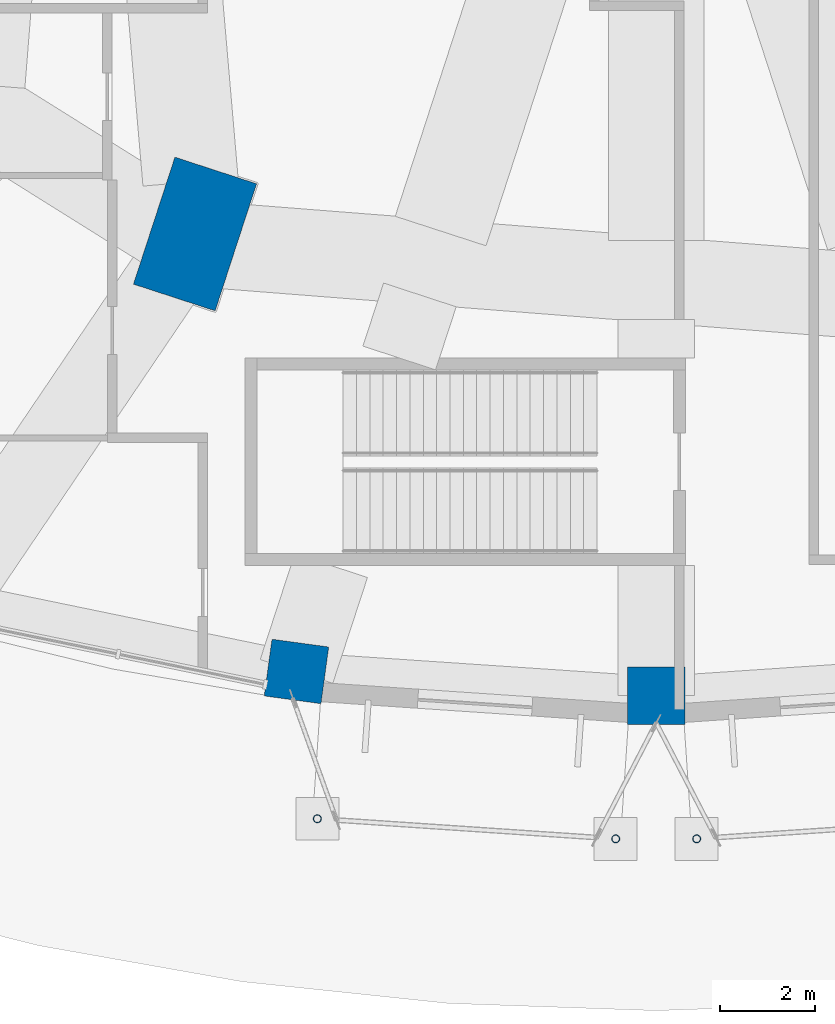
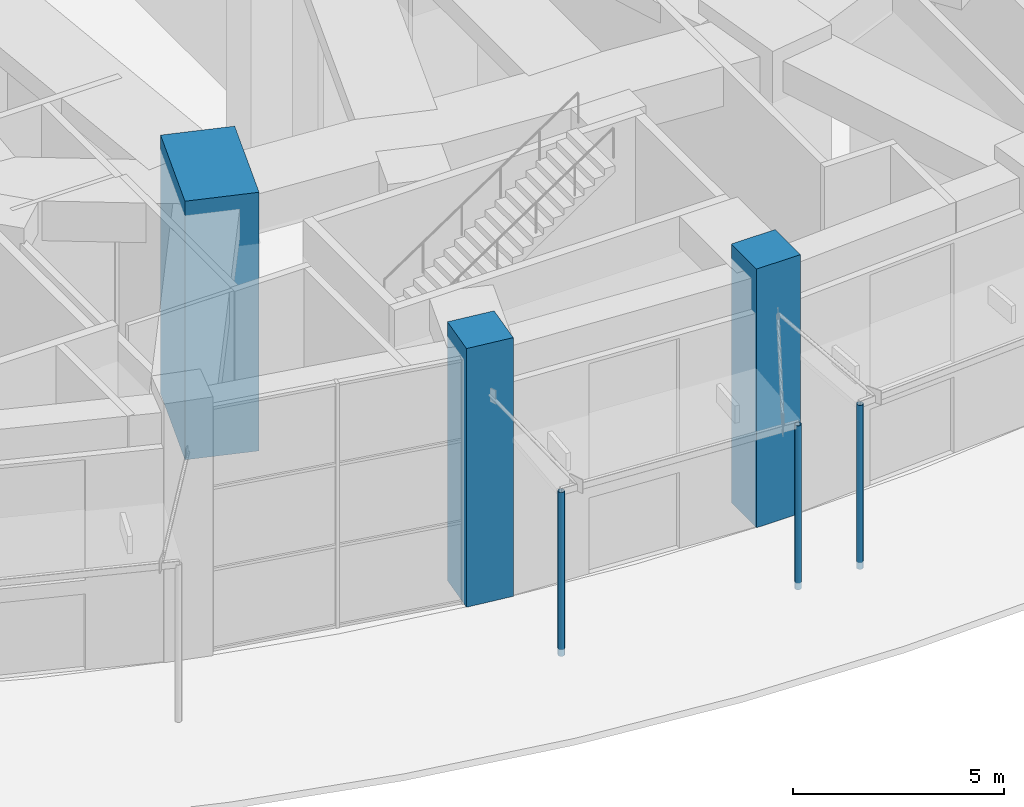
# One storey, part 6 of 60: 6 columns.
"""IFC4 building model written with IfcOpenShell, lengths in metres."""

import ifcopenshell
import ifcopenshell.guid

model = None  # the IFC model being written
_history = None  # IfcOwnerHistory: only IFC2X3 demands one
_inside = {}  # id of a spatial element -> (the spatial element, [elements in it])
_under = {}  # id of a project, library or spatial element -> (it, [spatial elements below it])
_declared = {}  # id of a project -> (the project, [libraries it declares])
_typed = {}  # id of a type object -> (the type object, [elements of that type])
_made_of = {}  # id of a material, layer set ... -> (it, [elements and type objects made of it])


def new_model(schema):
    """Start an empty IFC model of exactly this schema.

    Asked for "IFC4X3", IfcOpenShell would pick the latest addendum, in which some entities
    have other attributes; the version numbers below select the first issue.
    IFC2X3 requires an IfcOwnerHistory on every rooted entity: one is made here for all.
    """
    global model, _history
    if schema == "IFC4X3":
        model = ifcopenshell.file(schema_version=(4, 3, 0, 0))
    else:
        model = ifcopenshell.file(schema=schema)
    _inside.clear()
    _under.clear()
    _declared.clear()
    _typed.clear()
    _made_of.clear()
    _history = None
    if model.schema == "IFC2X3":
        org = make("IfcOrganization", Name="unknown")
        user = make(
            "IfcPersonAndOrganization",
            ThePerson=make("IfcPerson", FamilyName="unknown"),
            TheOrganization=org,
        )
        app = make(
            "IfcApplication",
            ApplicationDeveloper=org,
            Version="unknown",
            ApplicationFullName="unknown",
            ApplicationIdentifier="unknown",
        )
        _history = make(
            "IfcOwnerHistory",
            OwningUser=user,
            OwningApplication=app,
            ChangeAction="ADDED",
            CreationDate=0,
        )
    return model


def make(cls, **values):
    """One entity of the class cls with the attributes given. An attribute that is None is left unset."""
    return model.create_entity(
        cls, **{name: value for name, value in values.items() if value is not None}
    )


def rooted(cls, **values):
    """An entity with a GlobalId (a new one), such as an element, a storey or a relation."""
    return make(cls, GlobalId=ifcopenshell.guid.new(), OwnerHistory=_history, **values)


def si_unit(unit_type, name, prefix=None):
    """IfcSIUnit, for example si_unit("LENGTHUNIT", "METRE", prefix="MILLI")."""
    return make("IfcSIUnit", UnitType=unit_type, Prefix=prefix, Name=name)


def assignment(units):
    """IfcUnitAssignment: the units of a project."""
    return None if units is None else make("IfcUnitAssignment", Units=units)


def point(xyz):
    """IfcCartesianPoint."""
    return None if xyz is None else make("IfcCartesianPoint", Coordinates=xyz)


def direction(xyz):
    """IfcDirection."""
    return None if xyz is None else make("IfcDirection", DirectionRatios=xyz)


def frame(location, z_axis=None, x_axis=None):
    """IfcAxis2Placement3D, a coordinate frame: its origin and axes. An axis left out is left unset."""
    return make(
        "IfcAxis2Placement3D",
        Location=point(location),
        Axis=direction(z_axis),
        RefDirection=direction(x_axis),
    )


def frame_2d(location, x_axis=None):
    """IfcAxis2Placement2D, a coordinate frame in the plane: its origin and x axis."""
    return make(
        "IfcAxis2Placement2D", Location=point(location), RefDirection=direction(x_axis)
    )


def origin():
    """The frame at (0, 0, 0) with its axes left unset."""
    return frame((0.0, 0.0, 0.0))


def origin_2d():
    """The frame at (0, 0) in the plane with its x axis left unset."""
    return frame_2d((0.0, 0.0))


def place(relative_to, where):
    """IfcLocalPlacement: puts the frame where relative to a parent placement (None: the world)."""
    return make(
        "IfcLocalPlacement", PlacementRelTo=relative_to, RelativePlacement=where
    )


def context(
    kind, dimensions, precision=None, world=None, true_north=None, identifier=None
):
    """IfcGeometricRepresentationContext, for example the 3D "Model" context."""
    return make(
        "IfcGeometricRepresentationContext",
        ContextIdentifier=identifier,
        ContextType=kind,
        CoordinateSpaceDimension=dimensions,
        Precision=precision,
        WorldCoordinateSystem=world,
        TrueNorth=true_north,
    )


def subcontext(parent, identifier, kind, view, scale=None):
    """IfcGeometricRepresentationSubContext, for example "Body" below "Model"."""
    return make(
        "IfcGeometricRepresentationSubContext",
        ContextIdentifier=identifier,
        ContextType=kind,
        ParentContext=parent,
        TargetScale=scale,
        TargetView=view,
    )


def project(units=None, contexts=None):
    """IfcProject with its units and contexts."""
    return rooted(
        "IfcProject",
        Name="project",
        RepresentationContexts=contexts,
        UnitsInContext=assignment(units),
    )


def spatial(cls, under=None, at=None, **own):
    """A site, building, storey or space (cls), placed at a placement, below another one or the project."""
    s = rooted(cls, ObjectPlacement=at, **own)
    if under is not None:
        _under.setdefault(under.id(), (under, []))[1].append(s)
    return s


def profile(cls, at=None, kind="AREA", **sizes):
    """A parametric profile (cls). Its sizes go by their IFC names, for example OverallWidth=200.0."""
    return make(cls, ProfileType=kind, Position=at, **sizes)


def rectangle(**sizes):
    """IfcRectangleProfileDef."""
    return profile("IfcRectangleProfileDef", **sizes)


def hollow_circle(**sizes):
    """IfcCircleHollowProfileDef."""
    return profile("IfcCircleHollowProfileDef", **sizes)


def extrude(swept, where, along, depth):
    """IfcExtrudedAreaSolid: the profile swept, set in the frame where, extruded along a direction by depth."""
    return make(
        "IfcExtrudedAreaSolid",
        SweptArea=swept,
        Position=where,
        ExtrudedDirection=direction(along),
        Depth=depth,
    )


def shape(context_of_items, identifier, shape_type, items):
    """IfcShapeRepresentation: the items that make up one representation, for example the "Body"."""
    return make(
        "IfcShapeRepresentation",
        ContextOfItems=context_of_items,
        RepresentationIdentifier=identifier,
        RepresentationType=shape_type,
        Items=items,
    )


def material(Name=None, Category=None):
    """IfcMaterial."""
    return make("IfcMaterial", Name=Name, Category=Category)


def material_profile(
    of_material, cross_section, Name=None, Category=None, Priority=None
):
    """IfcMaterialProfile: a cross section and its material."""
    return make(
        "IfcMaterialProfile",
        Name=Name,
        Material=of_material,
        Profile=cross_section,
        Priority=Priority,
        Category=Category,
    )


def profile_set(profiles, Name=None, composite=None):
    """IfcMaterialProfileSet."""
    return make(
        "IfcMaterialProfileSet",
        Name=Name,
        MaterialProfiles=profiles,
        CompositeProfile=composite,
    )


def made_of(thing, what):
    """Note that an element or type object is made of a material, layer set ...; save() writes the relation."""
    if what is not None:
        _made_of.setdefault(what.id(), (what, []))[1].append(thing)
    return thing


def type_object(cls, material=None, **own):
    """A type object (cls), such as IfcWallType, which elements share."""
    return made_of(rooted(cls, **own), material)


def element(
    cls,
    number,
    at=None,
    inside=None,
    cuts=None,
    type_object=None,
    material=None,
    context=None,
    identifier="Body",
    shape_type=None,
    held_by="IfcProductDefinitionShape",
    body=None,
    shapes=None,
    **own,
):
    """One element of the class cls, such as IfcWall. Its Tag is "e" and its number.

    at: its placement. inside: the storey or other place that contains it. cuts: it is an
    opening in that element (IfcRelVoidsElement). A single representation is given by context,
    identifier, shape_type and body (its items); several are given by shapes. held_by: the class
    of the entity that holds the representations. save() writes the other relations.
    """
    e = rooted(cls, Tag="e%d" % number, ObjectPlacement=at, **own)
    if body is not None:
        shapes = [shape(context, identifier, shape_type, body)]
    if shapes is not None:
        e.Representation = make(held_by, Representations=shapes)
    if inside is not None:
        _inside.setdefault(inside.id(), (inside, []))[1].append(e)
    if cuts is not None:
        rooted(
            "IfcRelVoidsElement", RelatingBuildingElement=cuts, RelatedOpeningElement=e
        )
    if type_object is not None:
        _typed.setdefault(type_object.id(), (type_object, []))[1].append(e)
    return made_of(e, material)


def aggregate(whole, parts):
    """IfcRelAggregates: a whole, such as a stair, and the parts it consists of."""
    return rooted("IfcRelAggregates", RelatingObject=whole, RelatedObjects=parts)


def save(model, path):
    """Write the relations noted so far, then the file.

    IfcRelAggregates (storeys below a building ...), IfcRelContainedInSpatialStructure (elements
    in a storey), IfcRelDefinesByType, IfcRelAssociatesMaterial and IfcRelDeclares: one each for
    every whole, place, type object, material and project.
    """
    for whole, parts in _under.values():
        aggregate(whole, parts)
    for where, things in _inside.values():
        rooted(
            "IfcRelContainedInSpatialStructure",
            RelatedElements=things,
            RelatingStructure=where,
        )
    for kind, things in _typed.values():
        rooted("IfcRelDefinesByType", RelatedObjects=things, RelatingType=kind)
    for what, things in _made_of.values():
        rooted("IfcRelAssociatesMaterial", RelatedObjects=things, RelatingMaterial=what)
    for by, libraries in _declared.values():
        rooted("IfcRelDeclares", RelatingContext=by, RelatedDefinitions=libraries)
    model.write(path)


model = new_model("IFC4")

# Units and contexts
model_context = context("Model", 3, precision=1e-05, world=origin(), true_north=direction((0.0, 1.0)))
body_context = subcontext(model_context, "Body", "Model", "MODEL_VIEW")
ifc_project = project(units=[si_unit("LENGTHUNIT", "METRE"), si_unit("AREAUNIT", "SQUARE_METRE"), si_unit("VOLUMEUNIT", "CUBIC_METRE"), si_unit("PLANEANGLEUNIT", "RADIAN"), si_unit("MASSUNIT", "GRAM", prefix="KILO")], contexts=[model_context])

# Site, building, storey
site_placement = place(None, origin())
site = spatial("IfcSite", under=ifc_project, at=site_placement, CompositionType="ELEMENT")
building_placement = place(site_placement, origin())
building = spatial("IfcBuilding", under=site, at=building_placement, Name="Taillehof Tower", CompositionType="ELEMENT")
storey_placement = place(building_placement, origin())
storey = spatial("IfcBuildingStorey", under=building, at=storey_placement, Name="L00", CompositionType="ELEMENT", Elevation=0.0)

# Columns
ifc_material_1 = material(Name="Steel S460M", Category="steel")
ifc_material_profile_1 = material_profile(ifc_material_1, hollow_circle(Radius=0.084228515625, WallThickness=0.008056640625, at=origin_2d()), Name="CHS 168.3x8")
ifc_profile_set_1 = profile_set([ifc_material_profile_1], Name="Steel S460M")
column_type_1 = type_object("IfcColumnType", Name="Canopy post CHS 168.3x8", PredefinedType="COLUMN", material=ifc_profile_set_1)
for number, where, z_axis, x_axis, name in (
    (1, (-7.098388671875, -35.978515625, -0.199951171875), (0.0, 0.0, 1.0), (1.0, 0.0, 0.0), "Canopy post E5"),
    (2, (-0.847900390625, -36.3994140625, -0.199951171875), (0.0, 0.0, 1.0), (1.0, 0.0, 0.0), "Canopy post E5"),
    (3, (0.847900390625, -36.3994140625, -0.199951171875), (0.0, 0.0, 1.0), (1.0, 0.0, 0.0), "Canopy post E6"),
):
    element("IfcColumn", number, at=place(storey_placement, frame(where, z_axis=z_axis, x_axis=x_axis)), inside=storey, type_object=column_type_1, Name=name, PredefinedType="COLUMN", context=body_context, shape_type="SweptSolid", body=[
        extrude(hollow_circle(Radius=0.084228515625, WallThickness=0.008056640625, at=origin_2d()), origin(), (0.0, 0.0, 1.0), 4.7548828125),
    ])
ifc_material_2 = material(Name="Concrete C80/95", Category="concrete")
ifc_material_profile_2 = material_profile(ifc_material_2, rectangle(XDim=2.800048828125, YDim=1.800048828125, at=origin_2d()), Name="RC 2800x1800")
ifc_profile_set_2 = profile_set([ifc_material_profile_2], Name="Concrete C80/95")
column_type_2 = type_object("IfcColumnType", Name="Mega column C80/95 2800x1800", PredefinedType="COLUMN", material=ifc_profile_set_2)
column_placement = place(storey_placement, frame((-9.662109375, -23.727294921875, 0.0), z_axis=(0.0, 0.0, 1.0), x_axis=(-0.310219183529, -0.950665060981, 0.0)))
element("IfcColumn", 4, at=column_placement, inside=storey, type_object=column_type_2, Name="Mega column MG09", PredefinedType="COLUMN", context=body_context, shape_type="SweptSolid", body=[
    extrude(rectangle(XDim=2.800048828125, YDim=1.800048828125, at=origin_2d()), origin(), (0.0, 0.0, 1.0), 7.5),
])
ifc_material_3 = material(Name="Concrete C60/75", Category="concrete")
ifc_material_profile_3 = material_profile(ifc_material_3, rectangle(XDim=1.199951171875, YDim=1.199951171875, at=origin_2d()), Name="RC 1200x1200")
ifc_profile_set_3 = profile_set([ifc_material_profile_3], Name="Concrete C60/75")
column_type_3 = type_object("IfcColumnType", Name="Podium column C60/75 1200x1200", PredefinedType="COLUMN", material=ifc_profile_set_3)
for number, where, z_axis, x_axis, name in (
    (5, (-7.536376953125, -32.892578125, 0.0), (0.0, 0.0, 1.0), (-0.13500518998, -0.990844891332, 0.0), "Podium column PC27"),
    (6, (0.0, -33.39990234375, 0.0), (0.0, 0.0, 1.0), (0.0, -1.0, 0.0), "Podium column PC28"),
):
    element("IfcColumn", number, at=place(storey_placement, frame(where, z_axis=z_axis, x_axis=x_axis)), inside=storey, type_object=column_type_3, Name=name, PredefinedType="COLUMN", context=body_context, shape_type="SweptSolid", body=[
        extrude(rectangle(XDim=1.199951171875, YDim=1.199951171875, at=origin_2d()), origin(), (0.0, 0.0, 1.0), 7.5),
    ])

save(model, "model.ifc")
